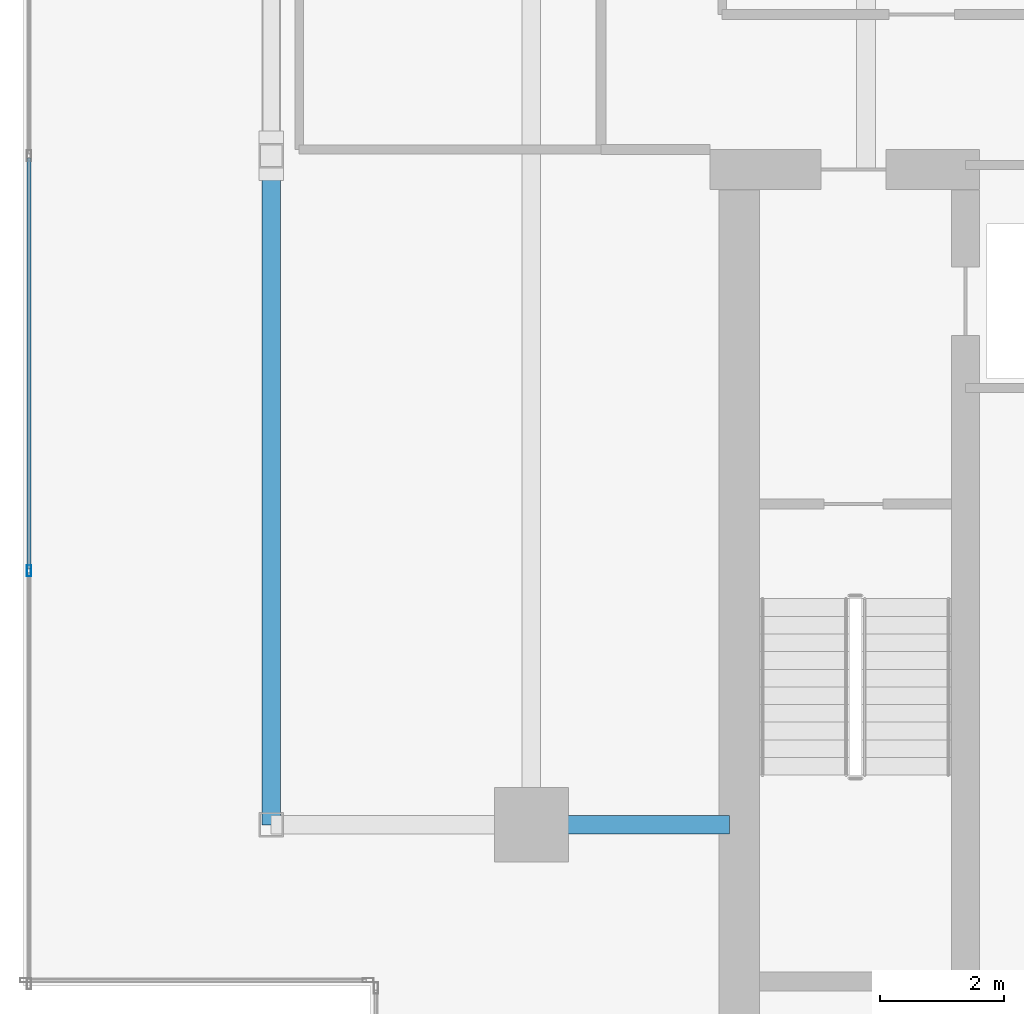
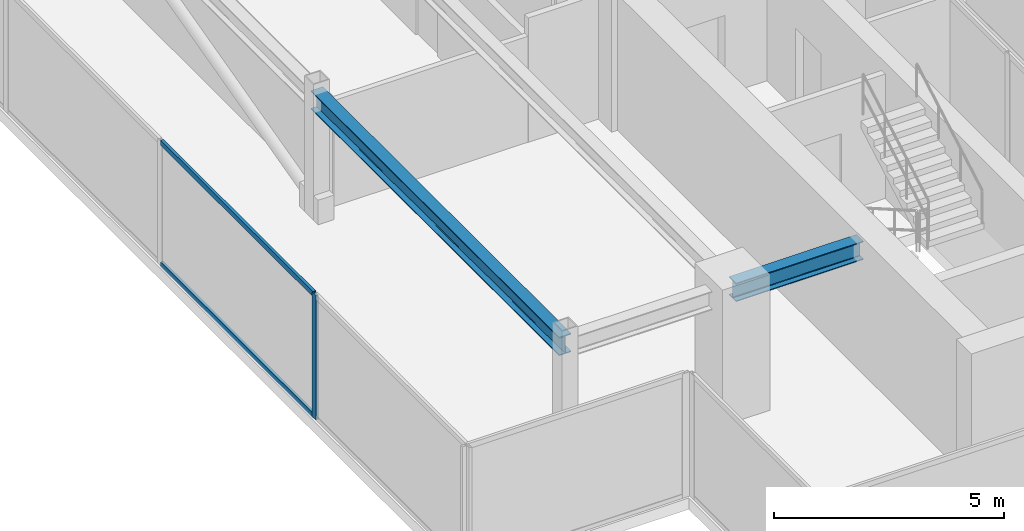
# One storey, part 4 of 25: 3 members, 2 beams, 1 element without a shape of its own.
"""IFC4 building model written with IfcOpenShell, lengths in metres."""

from ifc_helpers import new_model, si_unit, direction, frame, origin, origin_2d, place, context, subcontext, project, spatial, hollow_rectangle, i_section, extrude, source, transform, mapped, material, material_profile, profile_set, type_object, type_shapes, element, aggregate, save


model = new_model("IFC4")

# Units and contexts
model_context = context("Model", 3, precision=1e-05, world=origin(), true_north=direction((0.0, 1.0)))
body_context = subcontext(model_context, "Body", "Model", "MODEL_VIEW")
ifc_project = project(units=[si_unit("LENGTHUNIT", "METRE"), si_unit("AREAUNIT", "SQUARE_METRE"), si_unit("VOLUMEUNIT", "CUBIC_METRE"), si_unit("PLANEANGLEUNIT", "RADIAN"), si_unit("MASSUNIT", "GRAM", prefix="KILO")], contexts=[model_context])

# Site, building, storey
site_placement = place(None, origin())
site = spatial("IfcSite", under=ifc_project, at=site_placement, CompositionType="ELEMENT")
building_placement = place(site_placement, origin())
building = spatial("IfcBuilding", under=site, at=building_placement, Name="Krantzveldt Concourse Tower", CompositionType="ELEMENT")
storey_placement = place(building_placement, frame((0.0, 0.0, 374.64990234375)))
storey = spatial("IfcBuildingStorey", under=building, at=storey_placement, Name="L92", CompositionType="ELEMENT", Elevation=374.64990234375)

# Beams
ifc_material_1 = material(Name="Steel S355JR", Category="steel")
ifc_material_profile_1 = material_profile(ifc_material_1, i_section(OverallWidth=0.300048828125, OverallDepth=0.489990234375, WebThickness=0.011962890625, FlangeThickness=0.02294921875, FilletRadius=0.027099609375, at=origin_2d()), Name="Steel S355JR", Category="steel")
ifc_profile_set_1 = profile_set([ifc_material_profile_1], Name="Steel S355JR - HEA 500")
beam_type = type_object("IfcBeamType", Name="BM-B-HEA500", PredefinedType="BEAM", material=ifc_profile_set_1)
shared_shape_1 = source(origin(), body_context, "Body", "SweptSolid", [
    extrude(i_section(OverallWidth=0.300048828125, OverallDepth=0.489990234375, WebThickness=0.011962890625, FlangeThickness=0.02294921875, FilletRadius=0.027099609375, at=origin_2d()), origin(), (0.0, 0.0, 1.0), 10.800048828125),
])
beam_1_placement = place(storey_placement, frame((21.0, 15.89990234375, 3.05517578125), z_axis=(0.0, 1.0, 0.0), x_axis=(-1.0, 0.0, 0.0)))
element("IfcBeam", 1, at=beam_1_placement, inside=storey, type_object=beam_type, Name="L92 Crown Girder WEST-1", PredefinedType="BEAM", context=body_context, shape_type="MappedRepresentation", body=[
    mapped(shared_shape_1, transform((0.0, 0.0, 0.0), x_axis=(1.0, 0.0, 0.0), y_axis=(0.0, 1.0, 0.0), z_axis=(0.0, 0.0, 1.0), scale=1.0)),
])
shared_shape_2 = source(origin(), body_context, "Body", "SweptSolid", [
    extrude(i_section(OverallWidth=0.300048828125, OverallDepth=0.489990234375, WebThickness=0.011962890625, FlangeThickness=0.02294921875, FilletRadius=0.027099609375, at=origin_2d()), origin(), (0.0, 0.0, 1.0), 3.199951171875),
])
type_shapes(beam_type, [shared_shape_1, shared_shape_2])
beam_2_placement = place(storey_placement, frame((25.199951171875, 15.89990234375, 3.05517578125), z_axis=(1.0, 0.0, 0.0), x_axis=(0.0, 1.0, 0.0)))
element("IfcBeam", 2, at=beam_2_placement, inside=storey, type_object=beam_type, Name="L92 Crown Girder WEST-7", PredefinedType="BEAM", context=body_context, shape_type="MappedRepresentation", body=[
    mapped(shared_shape_2, transform((0.0, 0.0, 0.0), x_axis=(1.0, 0.0, 0.0), y_axis=(0.0, 1.0, 0.0), z_axis=(0.0, 0.0, 1.0), scale=1.0)),
])

# Curtain wall, members
ifc_material_2 = material(Name="Anodised aluminium 6063-T6", Category="aluminium")
curtain_wall_type = type_object("IfcCurtainWallType", Name="CW7", PredefinedType="USERDEFINED", material=ifc_material_2)
curtain_wall_placement = place(storey_placement, origin())
curtain_wall = element("IfcCurtainWall", 3, at=curtain_wall_placement, inside=storey, type_object=curtain_wall_type, Name="CW-L92-WEST-05", ObjectType="UNITISED CURTAIN WALL", PredefinedType="USERDEFINED")
ifc_material_profile_2 = material_profile(ifc_material_2, hollow_rectangle(XDim=0.070068359375, YDim=0.139892578125, WallThickness=0.0048828125, at=origin_2d()), Name="Anodised aluminium 6063-T6", Category="aluminium")
ifc_profile_set_2 = profile_set([ifc_material_profile_2], Name="Anodised aluminium 6063-T6 - ALU-TRAN 140x70x5")
member_type_1 = type_object("IfcMemberType", Name="CW-TRN-150", PredefinedType="USERDEFINED", material=ifc_profile_set_2)
shared_shape_3 = source(origin(), body_context, "Body", "SweptSolid", [
    extrude(hollow_rectangle(XDim=0.070068359375, YDim=0.139892578125, WallThickness=0.0048828125, at=origin_2d()), origin(), (0.0, 0.0, 1.0), 6.630126953125),
])
type_shapes(member_type_1, [shared_shape_3])
member_1_placement = place(storey_placement, frame((17.090087890625, 26.6650390625, 0.03515625), z_axis=(0.0, -1.0, 0.0), x_axis=(1.0, 0.0, 0.0)))
member_1 = element("IfcMember", 4, at=member_1_placement, type_object=member_type_1, Name="CW-CRN transom 3.1", ObjectType="TRANSOM", PredefinedType="USERDEFINED", context=body_context, shape_type="MappedRepresentation", body=[
    mapped(shared_shape_3, transform((0.0, 0.0, 0.0), x_axis=(1.0, 0.0, 0.0), y_axis=(0.0, 1.0, 0.0), z_axis=(0.0, 0.0, 1.0), scale=1.0)),
])
member_2_placement = place(storey_placement, frame((17.090087890625, 26.6650390625, 3.26513671875), z_axis=(0.0, -1.0, 0.0), x_axis=(1.0, 0.0, 0.0)))
member_2 = element("IfcMember", 5, at=member_2_placement, type_object=member_type_1, Name="CW-CRN transom 3.2", ObjectType="TRANSOM", PredefinedType="USERDEFINED", context=body_context, shape_type="MappedRepresentation", body=[
    mapped(shared_shape_3, transform((0.0, 0.0, 0.0), x_axis=(1.0, 0.0, 0.0), y_axis=(0.0, 1.0, 0.0), z_axis=(0.0, 0.0, 1.0), scale=1.0)),
])
ifc_material_profile_3 = material_profile(ifc_material_2, hollow_rectangle(XDim=0.070068359375, YDim=0.179931640625, WallThickness=0.0048828125, at=origin_2d()), Name="Anodised aluminium 6063-T6", Category="aluminium")
ifc_profile_set_3 = profile_set([ifc_material_profile_3], Name="Anodised aluminium 6063-T6 - ALU-MULL 180x70x5")
member_type_2 = type_object("IfcMemberType", Name="CW-MUL-180", PredefinedType="MULLION", material=ifc_profile_set_3)
shared_shape_4 = source(origin(), body_context, "Body", "SweptSolid", [
    extrude(hollow_rectangle(XDim=0.070068359375, YDim=0.179931640625, WallThickness=0.0048828125, at=origin_2d()), origin(), (0.0, 0.0, 1.0), 3.300048828125),
])
type_shapes(member_type_2, [shared_shape_4])
member_3_placement = place(storey_placement, frame((17.090087890625, 20.0, 0.0), z_axis=(0.0, 0.0, 1.0), x_axis=(1.0, 0.0, 0.0)))
member_3 = element("IfcMember", 6, at=member_3_placement, type_object=member_type_2, Name="CW-CRN mullion 4", PredefinedType="MULLION", context=body_context, shape_type="MappedRepresentation", body=[
    mapped(shared_shape_4, transform((0.0, 0.0, 0.0), x_axis=(1.0, 0.0, 0.0), y_axis=(0.0, 1.0, 0.0), z_axis=(0.0, 0.0, 1.0), scale=1.0)),
])
aggregate(curtain_wall, [member_3, member_1, member_2])

save(model, "model.ifc")
